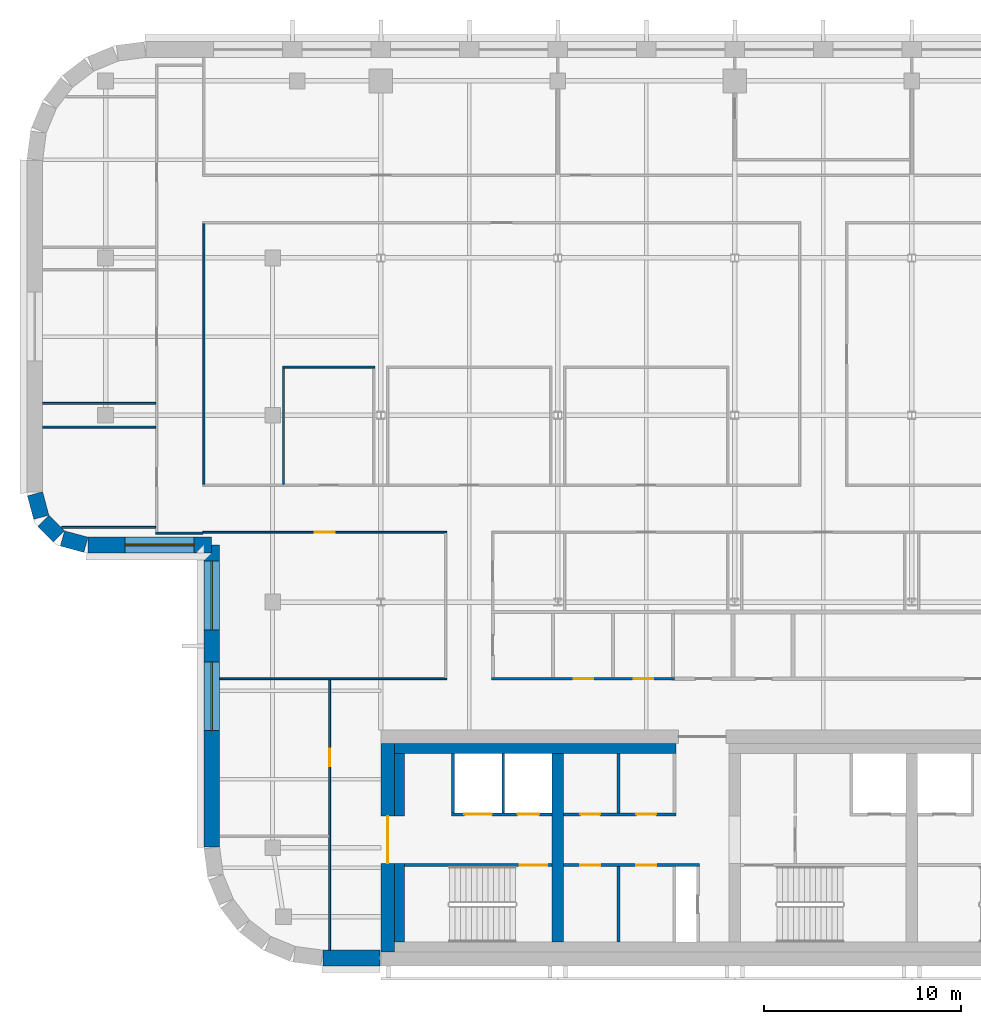
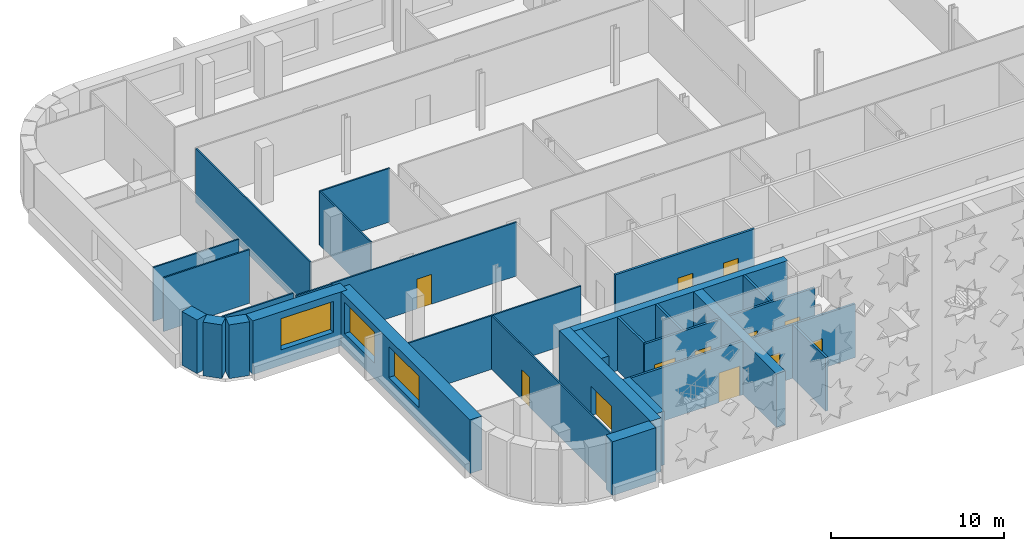
# One storey, part 7 of 18: 30 walls, 12 doors, 3 windows, 15 openings.
"""IFC4 building model written with IfcOpenShell, lengths in metres."""

from ifc_helpers import new_model, si_unit, direction, frame, frame_2d, origin, place, context, subcontext, project, spatial, rectangle, extrude, material, layer, layer_set, type_object, element, fill, save


model = new_model("IFC4")

# Units and contexts
model_context = context("Model", 3, precision=1e-05, world=origin(), true_north=direction((0.0, 1.0)))
body_context = subcontext(model_context, "Body", "Model", "MODEL_VIEW")
ifc_project = project(units=[si_unit("LENGTHUNIT", "METRE"), si_unit("AREAUNIT", "SQUARE_METRE"), si_unit("VOLUMEUNIT", "CUBIC_METRE"), si_unit("PLANEANGLEUNIT", "RADIAN"), si_unit("MASSUNIT", "GRAM", prefix="KILO")], contexts=[model_context])

# Site, building, storey
site_placement = place(None, origin())
site = spatial("IfcSite", under=ifc_project, at=site_placement, CompositionType="ELEMENT")
building_placement = place(site_placement, origin())
building = spatial("IfcBuilding", under=site, at=building_placement, Name="Zellij Exchange Tower", CompositionType="ELEMENT")
storey_placement = place(building_placement, frame((0.0, 0.0, 228.5)))
storey = spatial("IfcBuildingStorey", under=building, at=storey_placement, Name="L53", CompositionType="ELEMENT", Elevation=228.5)

# Walls
ifc_material_1 = material(Name="Concrete C50/60", Category="concrete")
ifc_layer_1 = layer(ifc_material_1, 0.60009765625)
ifc_layer_set_1 = layer_set([ifc_layer_1], Name="Concrete C50/60")
wall_type_1 = type_object("IfcWallType", Name="CORE-CW 600 C50/60", PredefinedType="SHEAR", material=ifc_layer_set_1)
wall_1_placement = place(storey_placement, frame((-18.0, -12.800048828125, 0.0), z_axis=(0.0, 0.0, 1.0), x_axis=(0.0, 1.0, 0.0)))
element("IfcWall", 1, at=wall_1_placement, inside=storey, type_object=wall_type_1, Name="Core cross wall x -18 L53", PredefinedType="SHEAR", context=body_context, shape_type="SweptSolid", body=[
    extrude(rectangle(XDim=9.60009765625, YDim=0.60009765625, at=frame_2d((4.800048828125, 0.0))), origin(), (0.0, 0.0, 1.0), 3.800048828125),
])
ifc_material_2 = material(Name="Concrete C30/37", Category="concrete")
ifc_layer_2 = layer(ifc_material_2, 0.5)
ifc_layer_set_2 = layer_set([ifc_layer_2], Name="Concrete C30/37")
wall_type_2 = type_object("IfcWallType", Name="CORE-LW 500 C30/37", PredefinedType="SHEAR", material=ifc_layer_set_2)
wall_2_placement = place(storey_placement, frame((-26.300048828125, -2.949951171875, 0.0), z_axis=(0.0, 0.0, 1.0), x_axis=(1.0, 0.0, 0.0)))
element("IfcWall", 2, at=wall_2_placement, inside=storey, type_object=wall_type_2, Name="Core wall lining front.0 L53", PredefinedType="SHEAR", context=body_context, shape_type="SweptSolid", body=[
    extrude(rectangle(XDim=14.300048828125, YDim=0.5, at=frame_2d((7.14990234375, 0.0))), origin(), (0.0, 0.0, 1.0), 3.800048828125),
])
wall_3_placement = place(storey_placement, frame((-26.050048828125, -12.800048828125, 0.0), z_axis=(0.0, 0.0, 1.0), x_axis=(0.0, 1.0, 0.0)))
element("IfcWall", 3, at=wall_3_placement, inside=storey, type_object=wall_type_2, Name="Core wall lining end w.0 L53", PredefinedType="SHEAR", context=body_context, shape_type="SweptSolid", body=[
    extrude(rectangle(XDim=4.0, YDim=0.5, at=frame_2d((2.0, 0.0))), origin(), (0.0, 0.0, 1.0), 3.800048828125),
])
wall_4_placement = place(storey_placement, frame((-26.050048828125, -6.375, 0.0), z_axis=(0.0, 0.0, 1.0), x_axis=(0.0, 1.0, 0.0)))
element("IfcWall", 4, at=wall_4_placement, inside=storey, type_object=wall_type_2, Name="Core wall lining end w.1 L53", PredefinedType="SHEAR", context=body_context, shape_type="SweptSolid", body=[
    extrude(rectangle(XDim=3.175048828125, YDim=0.5, at=frame_2d((1.58740234375, 0.0))), origin(), (0.0, 0.0, 1.0), 3.800048828125),
])
ifc_material_3 = material(Name="Gypsum board partition")
ifc_layer_3 = layer(ifc_material_3, 0.14990234375)
ifc_layer_set_3 = layer_set([ifc_layer_3], Name="Gypsum board partition")
wall_type_3 = type_object("IfcWallType", Name="CORE-PW 150 Lift lobby wall", PredefinedType="PARTITIONING", material=ifc_layer_set_3)
wall_5_placement = place(storey_placement, frame((-14.925048828125, -6.22509765625, 0.0), z_axis=(0.0, 0.0, 1.0), x_axis=(0.0, 1.0, 0.0)))
element("IfcWall", 5, at=wall_5_placement, inside=storey, type_object=wall_type_3, Name="Lift lobby wall L53", PredefinedType="PARTITIONING", context=body_context, shape_type="SweptSolid", body=[
    extrude(rectangle(XDim=3.025146484375, YDim=0.14990234375, at=frame_2d((1.5126953125, 0.0))), origin(), (0.0, 0.0, 1.0), 3.800048828125),
])
wall_6_placement = place(storey_placement, frame((-14.925048828125, -12.800048828125, 0.0), z_axis=(0.0, 0.0, 1.0), x_axis=(0.0, 1.0, 0.0)))
element("IfcWall", 6, at=wall_6_placement, inside=storey, type_object=wall_type_3, Name="Lift lobby wall L53", PredefinedType="PARTITIONING", context=body_context, shape_type="SweptSolid", body=[
    extrude(rectangle(XDim=3.85009765625, YDim=0.14990234375, at=frame_2d((1.925048828125, 0.0))), origin(), (0.0, 0.0, 1.0), 3.800048828125),
])

# Wall, openings, doors
wall_7_placement = place(storey_placement, frame((-17.699951171875, -6.300048828125, 0.0), z_axis=(0.0, 0.0, 1.0), x_axis=(1.0, 0.0, 0.0)))
wall_7 = element("IfcWall", 7, at=wall_7_placement, inside=storey, type_object=wall_type_3, Name="Lift lobby wall L53", PredefinedType="PARTITIONING", context=body_context, shape_type="SweptSolid", body=[
    extrude(rectangle(XDim=5.699951171875, YDim=0.14990234375, at=frame_2d((2.85009765625, 0.0))), origin(), (0.0, 0.0, 1.0), 3.800048828125),
])
opening_1_placement = place(wall_7_placement, frame((0.85009765625, 0.0, 0.0)))
opening_1 = element("IfcOpeningElement", 8, at=opening_1_placement, cuts=wall_7, Name="Opening CA-28.06", PredefinedType="OPENING", context=body_context, shape_type="SweptSolid", body=[
    extrude(rectangle(XDim=1.0, YDim=2.10009765625, at=frame_2d((0.5, 1.050048828125))), frame((0.0, 0.0869140625, 0.0), z_axis=(0.0, -1.0, 0.0), x_axis=(1.0, 0.0, 0.0)), (0.0, 0.0, 1.0), 0.173828125),
])
opening_2_placement = place(wall_7_placement, frame((3.699951171875, 0.0, 0.0)))
opening_2 = element("IfcOpeningElement", 9, at=opening_2_placement, cuts=wall_7, Name="Opening CA-28.08", PredefinedType="OPENING", context=body_context, shape_type="SweptSolid", body=[
    extrude(rectangle(XDim=1.0, YDim=2.10009765625, at=frame_2d((0.5, 1.050048828125))), frame((0.0, 0.0869140625, 0.0), z_axis=(0.0, -1.0, 0.0), x_axis=(1.0, 0.0, 0.0)), (0.0, 0.0, 1.0), 0.173828125),
])
ifc_material_4 = material(Name="Hollow metal fire door")
door_type_1 = type_object("IfcDoorType", Name="CORE-D CD Core room door 1000x2100 1 HR", OperationType="NOTDEFINED", PredefinedType="DOOR", material=ifc_material_4)
door_1_placement = place(opening_1_placement, origin())
door_1 = element("IfcDoor", 10, at=door_1_placement, inside=storey, type_object=door_type_1, Name="Core room door CA-28.06", OperationType="SINGLE_SWING_LEFT", OverallHeight=2.10009765625, OverallWidth=1.0, PredefinedType="DOOR", context=body_context, shape_type="SweptSolid", body=[
    extrude(rectangle(XDim=1.0, YDim=2.10009765625, at=frame_2d((0.5, 1.050048828125))), frame((0.0, 0.02490234375, 0.0), z_axis=(0.0, -1.0, 0.0), x_axis=(1.0, 0.0, 0.0)), (0.0, 0.0, 1.0), 0.050048828125),
])
fill(opening_1, door_1)
door_2_placement = place(opening_2_placement, origin())
door_2 = element("IfcDoor", 11, at=door_2_placement, inside=storey, type_object=door_type_1, Name="Core room door CA-28.08", OperationType="SINGLE_SWING_RIGHT", OverallHeight=2.10009765625, OverallWidth=1.0, PredefinedType="DOOR", context=body_context, shape_type="SweptSolid", body=[
    extrude(rectangle(XDim=1.0, YDim=2.10009765625, at=frame_2d((0.5, 1.050048828125))), frame((0.0, 0.02490234375, 0.0), z_axis=(0.0, -1.0, 0.0), x_axis=(1.0, 0.0, 0.0)), (0.0, 0.0, 1.0), 0.050048828125),
])
fill(opening_2, door_2)

wall_8_placement = place(storey_placement, frame((-17.699951171875, -8.875, 0.0), z_axis=(0.0, 0.0, 1.0), x_axis=(1.0, 0.0, 0.0)))
wall_8 = element("IfcWall", 12, at=wall_8_placement, inside=storey, type_object=wall_type_3, Name="Lift lobby wall L53", PredefinedType="PARTITIONING", context=body_context, shape_type="SweptSolid", body=[
    extrude(rectangle(XDim=6.89990234375, YDim=0.14990234375, at=frame_2d((3.449951171875, 0.0))), origin(), (0.0, 0.0, 1.0), 3.800048828125),
])
opening_3_placement = place(wall_8_placement, frame((0.85009765625, 0.0, 0.0)))
opening_3 = element("IfcOpeningElement", 13, at=opening_3_placement, cuts=wall_8, Name="Opening CA-28.05", PredefinedType="OPENING", context=body_context, shape_type="SweptSolid", body=[
    extrude(rectangle(XDim=1.0, YDim=2.10009765625, at=frame_2d((0.5, 1.050048828125))), frame((0.0, 0.0869140625, 0.0), z_axis=(0.0, -1.0, 0.0), x_axis=(1.0, 0.0, 0.0)), (0.0, 0.0, 1.0), 0.173828125),
])
opening_4_placement = place(wall_8_placement, frame((3.699951171875, 0.0, 0.0)))
opening_4 = element("IfcOpeningElement", 14, at=opening_4_placement, cuts=wall_8, Name="Opening CA-28.07", PredefinedType="OPENING", context=body_context, shape_type="SweptSolid", body=[
    extrude(rectangle(XDim=1.0, YDim=2.10009765625, at=frame_2d((0.5, 1.050048828125))), frame((0.0, 0.0869140625, 0.0), z_axis=(0.0, -1.0, 0.0), x_axis=(1.0, 0.0, 0.0)), (0.0, 0.0, 1.0), 0.173828125),
])
door_3_placement = place(opening_3_placement, origin())
door_3 = element("IfcDoor", 15, at=door_3_placement, inside=storey, type_object=door_type_1, Name="Core room door CA-28.05", OperationType="SINGLE_SWING_RIGHT", OverallHeight=2.10009765625, OverallWidth=1.0, PredefinedType="DOOR", context=body_context, shape_type="SweptSolid", body=[
    extrude(rectangle(XDim=1.0, YDim=2.10009765625, at=frame_2d((0.5, 1.050048828125))), frame((0.0, 0.02490234375, 0.0), z_axis=(0.0, -1.0, 0.0), x_axis=(1.0, 0.0, 0.0)), (0.0, 0.0, 1.0), 0.050048828125),
])
fill(opening_3, door_3)
door_4_placement = place(opening_4_placement, origin())
door_4 = element("IfcDoor", 16, at=door_4_placement, inside=storey, type_object=door_type_1, Name="Core room door CA-28.07", OperationType="SINGLE_SWING_LEFT", OverallHeight=2.10009765625, OverallWidth=1.0, PredefinedType="DOOR", context=body_context, shape_type="SweptSolid", body=[
    extrude(rectangle(XDim=1.0, YDim=2.10009765625, at=frame_2d((0.5, 1.050048828125))), frame((0.0, 0.02490234375, 0.0), z_axis=(0.0, -1.0, 0.0), x_axis=(1.0, 0.0, 0.0)), (0.0, 0.0, 1.0), 0.050048828125),
])
fill(opening_4, door_4)

# Walls
ifc_material_5 = material(Name="Gypsum shaft wall system")
ifc_layer_4 = layer(ifc_material_5, 0.14990234375)
ifc_layer_set_4 = layer_set([ifc_layer_4], Name="Gypsum shaft wall system")
wall_type_4 = type_object("IfcWallType", Name="CORE-PW 150 Lift shaft wall", PredefinedType="PARTITIONING", material=ifc_layer_set_4)
for number, where, z_axis, x_axis, name in (
    (17, (-20.77490234375, -6.22509765625, 0.0), (0.0, 0.0, 1.0), (0.0, 1.0, 0.0), "Lift shaft wall L53"),
    (18, (-23.324951171875, -6.22509765625, 0.0), (0.0, 0.0, 1.0), (0.0, 1.0, 0.0), "Lift shaft wall L53"),
):
    element("IfcWall", number, at=place(storey_placement, frame(where, z_axis=z_axis, x_axis=x_axis)), inside=storey, type_object=wall_type_4, Name=name, PredefinedType="PARTITIONING", context=body_context, shape_type="SweptSolid", body=[
        extrude(rectangle(XDim=3.025146484375, YDim=0.14990234375, at=frame_2d((1.5126953125, 0.0))), origin(), (0.0, 0.0, 1.0), 3.800048828125),
    ])

# Wall, openings, doors
wall_9_placement = place(storey_placement, frame((-23.39990234375, -6.300048828125, 0.0), z_axis=(0.0, 0.0, 1.0), x_axis=(1.0, 0.0, 0.0)))
wall_9 = element("IfcWall", 19, at=wall_9_placement, inside=storey, type_object=wall_type_4, Name="Lift shaft wall L53", PredefinedType="PARTITIONING", context=body_context, shape_type="SweptSolid", body=[
    extrude(rectangle(XDim=5.099853515625, YDim=0.14990234375, at=frame_2d((2.5498046875, 0.0))), origin(), (0.0, 0.0, 1.0), 3.800048828125),
])
opening_5_placement = place(wall_9_placement, frame((0.64990234375, 0.0, 0.0)))
opening_5 = element("IfcOpeningElement", 20, at=opening_5_placement, cuts=wall_9, Name="Opening CA-28.02", PredefinedType="OPENING", context=body_context, shape_type="SweptSolid", body=[
    extrude(rectangle(XDim=1.39990234375, YDim=2.10009765625, at=frame_2d((0.699951171875, 1.050048828125))), frame((0.0, 0.0869140625, 0.0), z_axis=(0.0, -1.0, 0.0), x_axis=(1.0, 0.0, 0.0)), (0.0, 0.0, 1.0), 0.173828125),
])
opening_6_placement = place(wall_9_placement, frame((3.35009765625, 0.0, 0.0)))
opening_6 = element("IfcOpeningElement", 21, at=opening_6_placement, cuts=wall_9, Name="Opening CA-28.03", PredefinedType="OPENING", context=body_context, shape_type="SweptSolid", body=[
    extrude(rectangle(XDim=1.10009765625, YDim=2.10009765625, at=frame_2d((0.550048828125, 1.050048828125))), frame((0.0, 0.0869140625, 0.0), z_axis=(0.0, -1.0, 0.0), x_axis=(1.0, 0.0, 0.0)), (0.0, 0.0, 1.0), 0.173828125),
])
door_type_2 = type_object("IfcDoorType", Name="CORE-D LD Lift landing door 1100x2100 1.5 HR", OperationType="NOTDEFINED", PredefinedType="DOOR", material=ifc_material_4)
door_5_placement = place(opening_6_placement, origin())
door_5 = element("IfcDoor", 22, at=door_5_placement, inside=storey, type_object=door_type_2, Name="Lift landing door CA-28.03", OperationType="SLIDING_TO_LEFT", OverallHeight=2.10009765625, OverallWidth=1.10009765625, PredefinedType="DOOR", context=body_context, shape_type="SweptSolid", body=[
    extrude(rectangle(XDim=1.10009765625, YDim=2.10009765625, at=frame_2d((0.550048828125, 1.050048828125))), frame((0.0, 0.02490234375, 0.0), z_axis=(0.0, -1.0, 0.0), x_axis=(1.0, 0.0, 0.0)), (0.0, 0.0, 1.0), 0.050048828125),
])
fill(opening_6, door_5)
door_type_3 = type_object("IfcDoorType", Name="CORE-D LD2 Service lift landing door 1400x2100 1.5 HR", OperationType="NOTDEFINED", PredefinedType="DOOR", material=ifc_material_4)
door_6_placement = place(opening_5_placement, origin())
door_6 = element("IfcDoor", 23, at=door_6_placement, inside=storey, type_object=door_type_3, Name="Service lift landing door CA-28.02", OperationType="SLIDING_TO_RIGHT", OverallHeight=2.10009765625, OverallWidth=1.39990234375, PredefinedType="DOOR", context=body_context, shape_type="SweptSolid", body=[
    extrude(rectangle(XDim=1.39990234375, YDim=2.10009765625, at=frame_2d((0.699951171875, 1.050048828125))), frame((0.0, 0.02490234375, 0.0), z_axis=(0.0, -1.0, 0.0), x_axis=(1.0, 0.0, 0.0)), (0.0, 0.0, 1.0), 0.050048828125),
])
fill(opening_5, door_6)

# Wall, opening, door
ifc_layer_5 = layer(ifc_material_1, 0.699951171875)
ifc_layer_set_5 = layer_set([ifc_layer_5], Name="Concrete C50/60")
wall_type_5 = type_object("IfcWallType", Name="CORE-SW 700 C50/60", PredefinedType="SHEAR", material=ifc_layer_set_5)
wall_10_placement = place(storey_placement, frame((-26.64990234375, -13.300048828125, 0.0), z_axis=(0.0, 0.0, 1.0), x_axis=(0.0, 1.0, 0.0)))
wall_10 = element("IfcWall", 24, at=wall_10_placement, inside=storey, type_object=wall_type_5, Name="Core shear wall end w L53", PredefinedType="SHEAR", context=body_context, shape_type="SweptSolid", body=[
    extrude(rectangle(XDim=10.60009765625, YDim=0.699951171875, at=frame_2d((5.300048828125, 0.0))), origin(), (0.0, 0.0, 1.0), 3.800048828125),
])
opening_7_placement = place(wall_10_placement, frame((4.511962890625, 0.0, 0.0)))
opening_7 = element("IfcOpeningElement", 25, at=opening_7_placement, cuts=wall_10, Name="Opening CA-28.01", PredefinedType="OPENING", context=body_context, shape_type="SweptSolid", body=[
    extrude(rectangle(XDim=2.39990234375, YDim=2.10009765625, at=frame_2d((1.199951171875, 1.050048828125))), frame((0.0, 0.36181640625, 0.0), z_axis=(0.0, -1.0, 0.0), x_axis=(1.0, 0.0, 0.0)), (0.0, 0.0, 1.0), 0.723876953125),
])
door_type_4 = type_object("IfcDoorType", Name="CORE-D CE Core entrance door 2400x2100 20 MIN", OperationType="NOTDEFINED", PredefinedType="DOOR", material=ifc_material_4)
door_7_placement = place(opening_7_placement, origin())
door_7 = element("IfcDoor", 26, at=door_7_placement, inside=storey, type_object=door_type_4, Name="Core entrance door CA-28.01", OperationType="DOUBLE_DOOR_SINGLE_SWING", OverallHeight=2.10009765625, OverallWidth=2.39990234375, PredefinedType="DOOR", context=body_context, shape_type="SweptSolid", body=[
    extrude(rectangle(XDim=2.39990234375, YDim=2.10009765625, at=frame_2d((1.199951171875, 1.050048828125))), frame((0.0, 0.02490234375, 0.0), z_axis=(0.0, -1.0, 0.0), x_axis=(1.0, 0.0, 0.0)), (0.0, 0.0, 1.0), 0.050048828125),
])
fill(opening_7, door_7)

ifc_layer_6 = layer(ifc_material_1, 0.14990234375)
ifc_layer_set_6 = layer_set([ifc_layer_6], Name="Concrete C50/60")
wall_type_6 = type_object("IfcWallType", Name="CORE-SWS 150 C50/60", PredefinedType="SHEAR", material=ifc_layer_set_6)
wall_11_placement = place(storey_placement, frame((-25.800048828125, -8.875, 0.0), z_axis=(0.0, 0.0, 1.0), x_axis=(1.0, 0.0, 0.0)))
wall_11 = element("IfcWall", 27, at=wall_11_placement, inside=storey, type_object=wall_type_6, Name="Stair enclosure wall L53", PredefinedType="SHEAR", context=body_context, shape_type="SweptSolid", body=[
    extrude(rectangle(XDim=7.5, YDim=0.14990234375, at=frame_2d((3.75, 0.0))), origin(), (0.0, 0.0, 1.0), 3.800048828125),
])
opening_8_placement = place(wall_11_placement, frame((5.875, 0.0, 0.0)))
opening_8 = element("IfcOpeningElement", 28, at=opening_8_placement, cuts=wall_11, Name="Opening CA-28.04", PredefinedType="OPENING", context=body_context, shape_type="SweptSolid", body=[
    extrude(rectangle(XDim=1.39990234375, YDim=2.10009765625, at=frame_2d((0.699951171875, 1.050048828125))), frame((0.0, 0.0869140625, 0.0), z_axis=(0.0, -1.0, 0.0), x_axis=(1.0, 0.0, 0.0)), (0.0, 0.0, 1.0), 0.173828125),
])
door_type_5 = type_object("IfcDoorType", Name="CORE-D SD Stair door 1400x2100 1.5 HR", OperationType="NOTDEFINED", PredefinedType="DOOR", material=ifc_material_4)
door_8_placement = place(opening_8_placement, origin())
door_8 = element("IfcDoor", 29, at=door_8_placement, inside=storey, type_object=door_type_5, Name="Stair door CA-28.04", OperationType="DOUBLE_DOOR_SINGLE_SWING", OverallHeight=2.10009765625, OverallWidth=1.39990234375, PredefinedType="DOOR", context=body_context, shape_type="SweptSolid", body=[
    extrude(rectangle(XDim=1.39990234375, YDim=2.10009765625, at=frame_2d((0.699951171875, 1.050048828125))), frame((0.0, 0.02490234375, 0.0), z_axis=(0.0, -1.0, 0.0), x_axis=(1.0, 0.0, 0.0)), (0.0, 0.0, 1.0), 0.050048828125),
])
fill(opening_8, door_8)

# Walls
ifc_material_6 = material(Name="Precast concrete C40/50", Category="concrete")
ifc_layer_7 = layer(ifc_material_6, 0.800048828125)
ifc_layer_set_7 = layer_set([ifc_layer_7], Name="Precast concrete C40/50")
wall_type_7 = type_object("IfcWallType", Name="ENV-EW1 Precast stone-piered wall 800", PredefinedType="SOLIDWALL", material=ifc_layer_set_7)
wall_12_placement = place(storey_placement, frame((-29.947509765625, -13.60009765625, 0.0), z_axis=(0.0, 0.0, 1.0), x_axis=(1.0, 0.0, 0.0)))
element("IfcWall", 30, at=wall_12_placement, inside=storey, type_object=wall_type_7, Name="fac.L53.00a", PredefinedType="SOLIDWALL", context=body_context, shape_type="SweptSolid", body=[
    extrude(rectangle(XDim=2.8974609375, YDim=0.800048828125, at=frame_2d((1.44873046875, 0.0))), origin(), (0.0, 0.0, 1.0), 3.800048828125),
])
wall_13_placement = place(storey_placement, frame((-44.58642578125, 10.001708984375, 0.0), z_axis=(0.0, 0.0, 1.0), x_axis=(0.258943885187, -0.965892366842, 0.0)))
element("IfcWall", 31, at=wall_13_placement, inside=storey, type_object=wall_type_7, Name="fac.L53.22", PredefinedType="SOLIDWALL", context=body_context, shape_type="SweptSolid", body=[
    extrude(rectangle(XDim=1.233154296875, YDim=0.800048828125, at=frame_2d((0.61669921875, 0.0))), origin(), (0.0, 0.0, 1.0), 3.800048828125),
])
wall_14_placement = place(storey_placement, frame((-44.163818359375, 8.63134765625, 0.0), z_axis=(0.0, 0.0, 1.0), x_axis=(0.707106781187, -0.707106781187, 0.0)))
element("IfcWall", 32, at=wall_14_placement, inside=storey, type_object=wall_type_7, Name="fac.L53.23", PredefinedType="SOLIDWALL", context=body_context, shape_type="SweptSolid", body=[
    extrude(rectangle(XDim=1.12451171875, YDim=0.800048828125, at=frame_2d((0.562255859375, 0.0))), origin(), (0.0, 0.0, 1.0), 3.800048828125),
])
wall_15_placement = place(storey_placement, frame((-43.189453125, 7.73291015625, 0.0), z_axis=(0.0, 0.0, 1.0), x_axis=(0.965892366842, -0.258943885187, 0.0)))
element("IfcWall", 33, at=wall_15_placement, inside=storey, type_object=wall_type_7, Name="fac.L53.24", PredefinedType="SOLIDWALL", context=body_context, shape_type="SweptSolid", body=[
    extrude(rectangle(XDim=1.233154296875, YDim=0.800048828125, at=frame_2d((0.61669921875, 0.0))), origin(), (0.0, 0.0, 1.0), 3.800048828125),
])

# Wall, opening, window
wall_16_placement = place(storey_placement, frame((-41.89453125, 7.39990234375, 0.0), z_axis=(0.0, 0.0, 1.0), x_axis=(1.0, 0.0, 0.0)))
wall_16 = element("IfcWall", 34, at=wall_16_placement, inside=storey, type_object=wall_type_7, Name="fac.L53.25", PredefinedType="SOLIDWALL", context=body_context, shape_type="SweptSolid", body=[
    extrude(rectangle(XDim=6.29443359375, YDim=0.800048828125, at=frame_2d((3.147216796875, 0.0))), origin(), (0.0, 0.0, 1.0), 3.800048828125),
])
opening_9_placement = place(wall_16_placement, frame((1.89453125, 0.0, 1.10009765625)))
opening_9 = element("IfcOpeningElement", 35, at=opening_9_placement, cuts=wall_16, Name="Opening FZ4.21", PredefinedType="OPENING", context=body_context, shape_type="SweptSolid", body=[
    extrude(rectangle(XDim=3.5, YDim=2.199951171875, at=frame_2d((1.75, 1.10009765625))), frame((0.0, 0.412109375, 0.0), z_axis=(0.0, -1.0, 0.0), x_axis=(1.0, 0.0, 0.0)), (0.0, 0.0, 1.0), 0.823974609375),
])
ifc_material_7 = material(Name="Aluminium frame with insulating glass", Category="aluminium")
window_type = type_object("IfcWindowType", Name="ENV-W7 Window 3500x2200", PartitioningType="SINGLE_PANEL", PredefinedType="WINDOW", material=ifc_material_7)
window_1_placement = place(opening_9_placement, origin())
window_1 = element("IfcWindow", 36, at=window_1_placement, inside=storey, type_object=window_type, Name="Window FZ4.21", OverallHeight=2.199951171875, OverallWidth=3.5, PartitioningType="SINGLE_PANEL", PredefinedType="WINDOW", context=body_context, shape_type="SweptSolid", body=[
    extrude(rectangle(XDim=3.5, YDim=2.199951171875, at=frame_2d((1.75, 1.10009765625))), frame((0.0, 0.030029296875, 0.0), z_axis=(0.0, -1.0, 0.0), x_axis=(1.0, 0.0, 0.0)), (0.0, 0.0, 1.0), 0.06005859375),
])
fill(opening_9, window_1)

# Wall, openings, windows
wall_17_placement = place(storey_placement, frame((-35.60009765625, 7.39990234375, 0.0), z_axis=(0.0, 0.0, 1.0), x_axis=(0.0, -1.0, 0.0)))
wall_17 = element("IfcWall", 37, at=wall_17_placement, inside=storey, type_object=wall_type_7, Name="fac.L53.26", PredefinedType="SOLIDWALL", context=body_context, shape_type="SweptSolid", body=[
    extrude(rectangle(XDim=15.347412109375, YDim=0.800048828125, at=frame_2d((7.673828125, 0.0))), origin(), (0.0, 0.0, 1.0), 3.800048828125),
])
opening_10_placement = place(wall_17_placement, frame((0.812255859375, 0.0, 1.10009765625)))
opening_10 = element("IfcOpeningElement", 38, at=opening_10_placement, cuts=wall_17, Name="Opening FZ4.22", PredefinedType="OPENING", context=body_context, shape_type="SweptSolid", body=[
    extrude(rectangle(XDim=3.5, YDim=2.199951171875, at=frame_2d((1.75, 1.10009765625))), frame((0.0, 0.412109375, 0.0), z_axis=(0.0, -1.0, 0.0), x_axis=(1.0, 0.0, 0.0)), (0.0, 0.0, 1.0), 0.823974609375),
])
opening_11_placement = place(wall_17_placement, frame((5.93701171875, 0.0, 1.10009765625)))
opening_11 = element("IfcOpeningElement", 39, at=opening_11_placement, cuts=wall_17, Name="Opening FZ4.23", PredefinedType="OPENING", context=body_context, shape_type="SweptSolid", body=[
    extrude(rectangle(XDim=3.5, YDim=2.199951171875, at=frame_2d((1.75, 1.10009765625))), frame((0.0, 0.412109375, 0.0), z_axis=(0.0, -1.0, 0.0), x_axis=(1.0, 0.0, 0.0)), (0.0, 0.0, 1.0), 0.823974609375),
])
window_2_placement = place(opening_10_placement, origin())
window_2 = element("IfcWindow", 40, at=window_2_placement, inside=storey, type_object=window_type, Name="Window FZ4.22", OverallHeight=2.199951171875, OverallWidth=3.5, PartitioningType="SINGLE_PANEL", PredefinedType="WINDOW", context=body_context, shape_type="SweptSolid", body=[
    extrude(rectangle(XDim=3.5, YDim=2.199951171875, at=frame_2d((1.75, 1.10009765625))), frame((0.0, 0.030029296875, 0.0), z_axis=(0.0, -1.0, 0.0), x_axis=(1.0, 0.0, 0.0)), (0.0, 0.0, 1.0), 0.06005859375),
])
fill(opening_10, window_2)
window_3_placement = place(opening_11_placement, origin())
window_3 = element("IfcWindow", 41, at=window_3_placement, inside=storey, type_object=window_type, Name="Window FZ4.23", OverallHeight=2.199951171875, OverallWidth=3.5, PartitioningType="SINGLE_PANEL", PredefinedType="WINDOW", context=body_context, shape_type="SweptSolid", body=[
    extrude(rectangle(XDim=3.5, YDim=2.199951171875, at=frame_2d((1.75, 1.10009765625))), frame((0.0, 0.030029296875, 0.0), z_axis=(0.0, -1.0, 0.0), x_axis=(1.0, 0.0, 0.0)), (0.0, 0.0, 1.0), 0.06005859375),
])
fill(opening_11, window_3)

# Wall, opening, door
ifc_material_8 = material(Name="Gypsum board partition on steel studs", Category="steel")
ifc_layer_8 = layer(ifc_material_8, 0.10009765625)
ifc_layer_set_8 = layer_set([ifc_layer_8], Name="Gypsum board partition on steel studs")
wall_type_8 = type_object("IfcWallType", Name="FIT-PARTITION-100", PredefinedType="PARTITIONING", material=ifc_layer_set_8)
wall_18_placement = place(storey_placement, frame((-29.60009765625, -13.199951171875, 0.0), z_axis=(0.0, 0.0, 1.0), x_axis=(0.0, 1.0, 0.0)))
wall_18 = element("IfcWall", 42, at=wall_18_placement, inside=storey, type_object=wall_type_8, Name="FIT-PARTITION-100 001", PredefinedType="PARTITIONING", context=body_context, shape_type="SweptSolid", body=[
    extrude(rectangle(XDim=13.75, YDim=0.10009765625, at=frame_2d((6.875, 0.0))), origin(), (0.0, 0.0, 1.0), 3.800048828125),
])
opening_12_placement = place(wall_18_placement, frame((9.35009765625, 0.0, 0.0)))
opening_12 = element("IfcOpeningElement", 43, at=opening_12_placement, cuts=wall_18, Name="Opening O4B.02", PredefinedType="OPENING", context=body_context, shape_type="SweptSolid", body=[
    extrude(rectangle(XDim=0.89990234375, YDim=2.10009765625, at=frame_2d((0.449951171875, 1.050048828125))), frame((0.0, 0.06201171875, 0.0), z_axis=(0.0, -1.0, 0.0), x_axis=(1.0, 0.0, 0.0)), (0.0, 0.0, 1.0), 0.1240234375),
])
ifc_material_9 = material(Name="Timber door set", Category="wood")
door_type_6 = type_object("IfcDoorType", Name="FIT-D1-ROOM-900X2100", OperationType="SINGLE_SWING_LEFT", PredefinedType="DOOR", material=ifc_material_9)
door_9_placement = place(opening_12_placement, origin())
door_9 = element("IfcDoor", 44, at=door_9_placement, inside=storey, type_object=door_type_6, Name="Door O4B.02", OperationType="SINGLE_SWING_RIGHT", OverallHeight=2.10009765625, OverallWidth=0.89990234375, PredefinedType="DOOR", context=body_context, shape_type="SweptSolid", body=[
    extrude(rectangle(XDim=0.89990234375, YDim=2.10009765625, at=frame_2d((0.449951171875, 1.050048828125))), frame((0.0, 0.02490234375, 0.0), z_axis=(0.0, -1.0, 0.0), x_axis=(1.0, 0.0, 0.0)), (0.0, 0.0, 1.0), 0.050048828125),
])
fill(opening_12, door_9)

# Walls
wall_19_placement = place(storey_placement, frame((-35.199951171875, 0.60009765625, 0.0), z_axis=(0.0, 0.0, 1.0), x_axis=(1.0, 0.0, 0.0)))
element("IfcWall", 45, at=wall_19_placement, inside=storey, type_object=wall_type_8, Name="FIT-PARTITION-100 004", PredefinedType="PARTITIONING", context=body_context, shape_type="SweptSolid", body=[
    extrude(rectangle(XDim=11.550048828125, YDim=0.10009765625, at=frame_2d((5.77490234375, 0.0))), origin(), (0.0, 0.0, 1.0), 3.800048828125),
])
wall_20_placement = place(storey_placement, frame((-38.449951171875, 8.0, 0.0), z_axis=(0.0, 0.0, 1.0), x_axis=(1.0, 0.0, 0.0)))
element("IfcWall", 46, at=wall_20_placement, inside=storey, type_object=wall_type_8, Name="FIT-PARTITION-100 033", PredefinedType="PARTITIONING", context=body_context, shape_type="SweptSolid", body=[
    extrude(rectangle(XDim=2.39990234375, YDim=0.10009765625, at=frame_2d((1.199951171875, 0.0))), origin(), (0.0, 0.0, 1.0), 3.800048828125),
])

# Wall, opening, door
wall_21_placement = place(storey_placement, frame((-36.050048828125, 8.050048828125, 0.0), z_axis=(0.0, 0.0, 1.0), x_axis=(1.0, 0.0, 0.0)))
wall_21 = element("IfcWall", 47, at=wall_21_placement, inside=storey, type_object=wall_type_8, Name="FIT-PARTITION-100 035", PredefinedType="PARTITIONING", context=body_context, shape_type="SweptSolid", body=[
    extrude(rectangle(XDim=12.400146484375, YDim=0.10009765625, at=frame_2d((6.2001953125, 0.0))), origin(), (0.0, 0.0, 1.0), 3.800048828125),
])
opening_13_placement = place(wall_21_placement, frame((5.699951171875, 0.0, 0.0)))
opening_13 = element("IfcOpeningElement", 48, at=opening_13_placement, cuts=wall_21, Name="Opening O4B.15", PredefinedType="OPENING", context=body_context, shape_type="SweptSolid", body=[
    extrude(rectangle(XDim=1.0, YDim=2.10009765625, at=frame_2d((0.5, 1.050048828125))), frame((0.0, 0.06201171875, 0.0), z_axis=(0.0, -1.0, 0.0), x_axis=(1.0, 0.0, 0.0)), (0.0, 0.0, 1.0), 0.1240234375),
])
door_type_7 = type_object("IfcDoorType", Name="FIT-D2-WIDE-1000X2100", OperationType="SINGLE_SWING_LEFT", PredefinedType="DOOR", material=ifc_material_9)
door_10_placement = place(opening_13_placement, origin())
door_10 = element("IfcDoor", 49, at=door_10_placement, inside=storey, type_object=door_type_7, Name="Door O4B.15", OperationType="SINGLE_SWING_LEFT", OverallHeight=2.10009765625, OverallWidth=1.0, PredefinedType="DOOR", context=body_context, shape_type="SweptSolid", body=[
    extrude(rectangle(XDim=1.0, YDim=2.10009765625, at=frame_2d((0.5, 1.050048828125))), frame((0.0, 0.02490234375, 0.0), z_axis=(0.0, -1.0, 0.0), x_axis=(1.0, 0.0, 0.0)), (0.0, 0.0, 1.0), 0.050048828125),
])
fill(opening_13, door_10)

# Walls
wall_22_placement = place(storey_placement, frame((-43.22998046875, 8.300048828125, 0.0), z_axis=(0.0, 0.0, 1.0), x_axis=(1.0, 0.0, 0.0)))
element("IfcWall", 50, at=wall_22_placement, inside=storey, type_object=wall_type_8, Name="FIT-PARTITION-100 039", PredefinedType="PARTITIONING", context=body_context, shape_type="SweptSolid", body=[
    extrude(rectangle(XDim=4.780029296875, YDim=0.10009765625, at=frame_2d((2.39013671875, 0.0))), origin(), (0.0, 0.0, 1.0), 3.800048828125),
])
wall_23_placement = place(storey_placement, frame((-36.0, 10.5, 0.0), z_axis=(0.0, 0.0, 1.0), x_axis=(0.0, 1.0, 0.0)))
element("IfcWall", 51, at=wall_23_placement, inside=storey, type_object=wall_type_8, Name="FIT-PARTITION-100 041", PredefinedType="PARTITIONING", context=body_context, shape_type="SweptSolid", body=[
    extrude(rectangle(XDim=13.25, YDim=0.10009765625, at=frame_2d((6.625, 0.0))), origin(), (0.0, 0.0, 1.0), 3.800048828125),
])
wall_24_placement = place(storey_placement, frame((-31.949951171875, 10.5, 0.0), z_axis=(0.0, 0.0, 1.0), x_axis=(0.0, 1.0, 0.0)))
element("IfcWall", 52, at=wall_24_placement, inside=storey, type_object=wall_type_8, Name="FIT-PARTITION-100 042", PredefinedType="PARTITIONING", context=body_context, shape_type="SweptSolid", body=[
    extrude(rectangle(XDim=5.89990234375, YDim=0.10009765625, at=frame_2d((2.949951171875, 0.0))), origin(), (0.0, 0.0, 1.0), 3.800048828125),
])
for number, where, z_axis, x_axis, name in (
    (53, (-44.199951171875, 13.39990234375, 0.0), (0.0, 0.0, 1.0), (1.0, 0.0, 0.0), "FIT-PARTITION-100 057"),
    (54, (-44.199951171875, 14.60009765625, 0.0), (0.0, 0.0, 1.0), (1.0, 0.0, 0.0), "FIT-PARTITION-100 058"),
):
    element("IfcWall", number, at=place(storey_placement, frame(where, z_axis=z_axis, x_axis=x_axis)), inside=storey, type_object=wall_type_8, Name=name, PredefinedType="PARTITIONING", context=body_context, shape_type="SweptSolid", body=[
        extrude(rectangle(XDim=5.75, YDim=0.10009765625, at=frame_2d((2.875, 0.0))), origin(), (0.0, 0.0, 1.0), 3.800048828125),
    ])
wall_25_placement = place(storey_placement, frame((-32.0, 16.449951171875, 0.0), z_axis=(0.0, 0.0, 1.0), x_axis=(1.0, 0.0, 0.0)))
element("IfcWall", 55, at=wall_25_placement, inside=storey, type_object=wall_type_8, Name="FIT-PARTITION-100 059", PredefinedType="PARTITIONING", context=body_context, shape_type="SweptSolid", body=[
    extrude(rectangle(XDim=4.699951171875, YDim=0.10009765625, at=frame_2d((2.35009765625, 0.0))), origin(), (0.0, 0.0, 1.0), 3.800048828125),
])

# Wall, openings, doors
ifc_material_10 = material(Name="Gypsum board shaft-wall partition", Category="gypsum")
ifc_layer_9 = layer(ifc_material_10, 0.14990234375)
ifc_layer_set_9 = layer_set([ifc_layer_9], Name="Gypsum board shaft-wall partition")
wall_type_9 = type_object("IfcWallType", Name="FIT-PARTITION-150-EI60", PredefinedType="PARTITIONING", material=ifc_layer_set_9)
wall_26_placement = place(storey_placement, frame((-21.375, 0.60009765625, 0.0), z_axis=(0.0, 0.0, 1.0), x_axis=(1.0, 0.0, 0.0)))
wall_26 = element("IfcWall", 56, at=wall_26_placement, inside=storey, type_object=wall_type_9, Name="FIT-PARTITION-150-EI60 006", PredefinedType="PARTITIONING", context=body_context, shape_type="SweptSolid", body=[
    extrude(rectangle(XDim=9.31005859375, YDim=0.14990234375, at=frame_2d((4.655029296875, 0.0))), origin(), (0.0, 0.0, 1.0), 3.800048828125),
])
opening_14_placement = place(wall_26_placement, frame((4.179931640625, 0.0, 0.0)))
opening_14 = element("IfcOpeningElement", 57, at=opening_14_placement, cuts=wall_26, Name="Opening O4B.03", PredefinedType="OPENING", context=body_context, shape_type="SweptSolid", body=[
    extrude(rectangle(XDim=1.0, YDim=2.10009765625, at=frame_2d((0.5, 1.050048828125))), frame((0.0, 0.0869140625, 0.0), z_axis=(0.0, -1.0, 0.0), x_axis=(1.0, 0.0, 0.0)), (0.0, 0.0, 1.0), 0.173828125),
])
opening_15_placement = place(wall_26_placement, frame((7.23388671875, 0.0, 0.0)))
opening_15 = element("IfcOpeningElement", 58, at=opening_15_placement, cuts=wall_26, Name="Opening O4B.04", PredefinedType="OPENING", context=body_context, shape_type="SweptSolid", body=[
    extrude(rectangle(XDim=1.0, YDim=2.10009765625, at=frame_2d((0.5, 1.050048828125))), frame((0.0, 0.0869140625, 0.0), z_axis=(0.0, -1.0, 0.0), x_axis=(1.0, 0.0, 0.0)), (0.0, 0.0, 1.0), 0.173828125),
])
ifc_material_11 = material(Name="Steel fire door set", Category="steel")
door_type_8 = type_object("IfcDoorType", Name="FIT-D4-FIRE-1000X2100", OperationType="SINGLE_SWING_LEFT", PredefinedType="DOOR", material=ifc_material_11)
door_11_placement = place(opening_14_placement, origin())
door_11 = element("IfcDoor", 59, at=door_11_placement, inside=storey, type_object=door_type_8, Name="Door O4B.03", OperationType="SINGLE_SWING_RIGHT", OverallHeight=2.10009765625, OverallWidth=1.0, PredefinedType="DOOR", context=body_context, shape_type="SweptSolid", body=[
    extrude(rectangle(XDim=1.0, YDim=2.10009765625, at=frame_2d((0.5, 1.050048828125))), frame((0.0, 0.02490234375, 0.0), z_axis=(0.0, -1.0, 0.0), x_axis=(1.0, 0.0, 0.0)), (0.0, 0.0, 1.0), 0.050048828125),
])
fill(opening_14, door_11)
door_12_placement = place(opening_15_placement, origin())
door_12 = element("IfcDoor", 60, at=door_12_placement, inside=storey, type_object=door_type_8, Name="Door O4B.04", OperationType="SINGLE_SWING_RIGHT", OverallHeight=2.10009765625, OverallWidth=1.0, PredefinedType="DOOR", context=body_context, shape_type="SweptSolid", body=[
    extrude(rectangle(XDim=1.0, YDim=2.10009765625, at=frame_2d((0.5, 1.050048828125))), frame((0.0, 0.02490234375, 0.0), z_axis=(0.0, -1.0, 0.0), x_axis=(1.0, 0.0, 0.0)), (0.0, 0.0, 1.0), 0.050048828125),
])
fill(opening_15, door_12)

save(model, "model.ifc")
